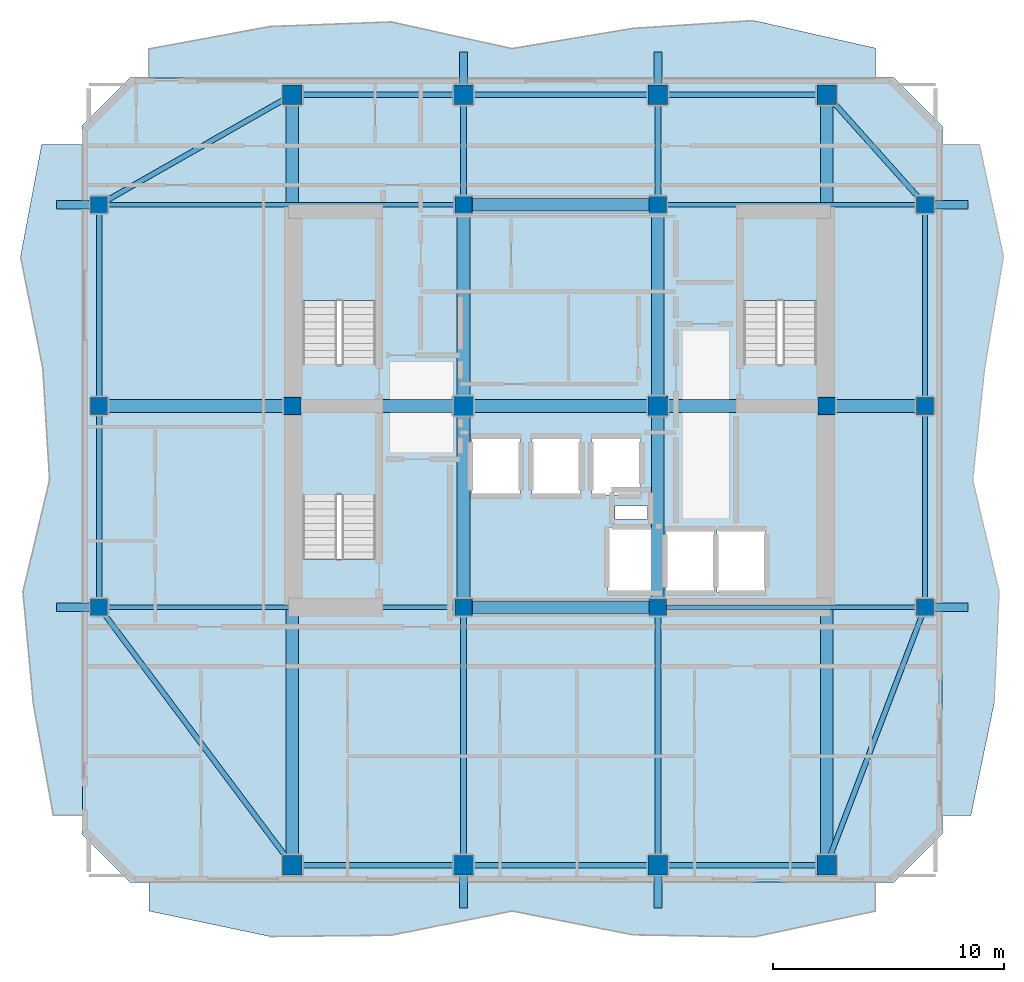
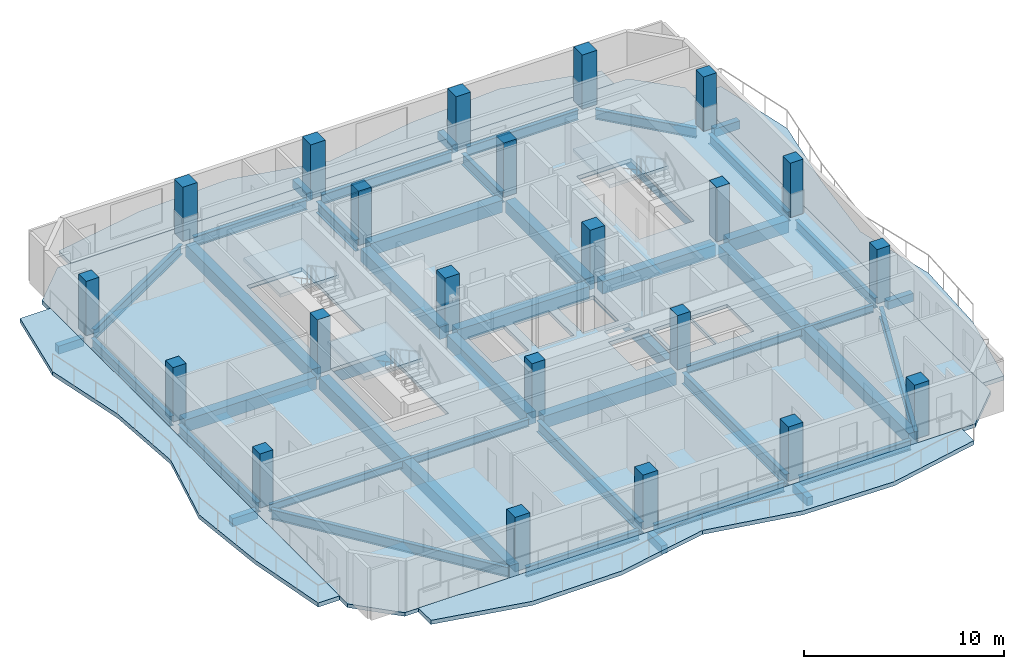
# One storey, part 1 of 10: 45 beams, 22 columns, 8 slabs, 3 elements without a shape of their own.
"""IFC4 building model written with IfcOpenShell, lengths in metres."""

from ifc_helpers import new_model, si_unit, direction, frame, origin, origin_2d, place, context, subcontext, project, spatial, polyline, rectangle, i_section, outline, extrude, material, layer, layer_set, material_profile, profile_set, type_object, element, aggregate, save


model = new_model("IFC4")

# Units and contexts
model_context = context("Model", 3, precision=1e-05, world=origin(), true_north=direction((0.0, 1.0)))
body_context = subcontext(model_context, "Body", "Model", "MODEL_VIEW")
ifc_project = project(units=[si_unit("LENGTHUNIT", "METRE"), si_unit("AREAUNIT", "SQUARE_METRE"), si_unit("VOLUMEUNIT", "CUBIC_METRE"), si_unit("PLANEANGLEUNIT", "RADIAN"), si_unit("MASSUNIT", "GRAM", prefix="KILO")], contexts=[model_context])

# Site, building, storey
site_placement = place(None, origin())
site = spatial("IfcSite", under=ifc_project, at=site_placement, CompositionType="ELEMENT")
building_placement = place(site_placement, origin())
building = spatial("IfcBuilding", under=site, at=building_placement, Name="Solanera Arch Residences", CompositionType="ELEMENT")
storey_placement = place(building_placement, frame((0.0, 0.0, 200.1201171875)))
storey = spatial("IfcBuildingStorey", under=building, at=storey_placement, Name="L58", CompositionType="ELEMENT", Elevation=200.1201171875)

# Columns
ifc_material_1 = material(Name="Concrete C40/50 (f'c = 45 MPa)", Category="concrete")
ifc_material_profile_1 = material_profile(ifc_material_1, rectangle(XDim=0.75, YDim=0.75, at=origin_2d()))
ifc_profile_set_1 = profile_set([ifc_material_profile_1], Name="Concrete C40/50 (f'c = 45 MPa)")
column_type_1 = type_object("IfcColumnType", Name="Structural Column RC-COL-750X750", PredefinedType="COLUMN", material=ifc_profile_set_1)
for number, where, z_axis, x_axis, name in (
    (1, (20.800048828125, 22.0, 0.0), (0.0, 0.0, 1.0), (1.0, 0.0, 0.0), "COL-L58-CB-SW"),
    (2, (29.199951171875, 22.0, 0.0), (0.0, 0.0, 1.0), (1.0, 0.0, 0.0), "COL-L58-CB-SE"),
    (3, (20.800048828125, 39.39990234375, 0.0), (0.0, 0.0, 1.0), (1.0, 0.0, 0.0), "COL-L58-CB-NW"),
    (4, (29.199951171875, 39.39990234375, 0.0), (0.0, 0.0, 1.0), (1.0, 0.0, 0.0), "COL-L58-CB-NE"),
    (5, (13.39990234375, 30.699951171875, 0.0), (0.0, 0.0, 1.0), (1.0, 0.0, 0.0), "COL-L58-CB-WW"),
    (6, (36.5, 30.699951171875, 0.0), (0.0, 0.0, 1.0), (1.0, 0.0, 0.0), "COL-L58-CB-EE"),
    (7, (5.050048828125, 22.0, 0.0), (0.0, 0.0, 1.0), (1.0, 0.0, 0.0), "COL-L58-TWR-09"),
    (8, (40.75, 22.0, 0.0), (0.0, 0.0, 1.0), (1.0, 0.0, 0.0), "COL-L58-TWR-10"),
    (9, (5.050048828125, 30.699951171875, 0.0), (0.0, 0.0, 1.0), (1.0, 0.0, 0.0), "COL-L58-TWR-11"),
    (10, (40.75, 30.699951171875, 0.0), (0.0, 0.0, 1.0), (1.0, 0.0, 0.0), "COL-L58-TWR-12"),
    (11, (5.050048828125, 39.39990234375, 0.0), (0.0, 0.0, 1.0), (1.0, 0.0, 0.0), "COL-L58-TWR-13"),
    (12, (40.75, 39.39990234375, 0.0), (0.0, 0.0, 1.0), (1.0, 0.0, 0.0), "COL-L58-TWR-14"),
):
    element("IfcColumn", number, at=place(storey_placement, frame(where, z_axis=z_axis, x_axis=x_axis)), inside=storey, type_object=column_type_1, Name=name, PredefinedType="COLUMN", context=body_context, shape_type="SweptSolid", body=[
        extrude(rectangle(XDim=0.75, YDim=0.75, at=origin_2d()), origin(), (0.0, 0.0, 1.0), 3.31982421875),
    ])
ifc_material_2 = material(Name="Concrete C40/50 (f'c = 45 MPa)", Category="concrete")
ifc_material_profile_2 = material_profile(ifc_material_2, rectangle(XDim=0.85009765625, YDim=0.85009765625, at=origin_2d()))
ifc_profile_set_2 = profile_set([ifc_material_profile_2], Name="Concrete C40/50 (f'c = 45 MPa)")
column_type_2 = type_object("IfcColumnType", Name="Structural Column RC-COL-850X850", PredefinedType="COLUMN", material=ifc_profile_set_2)
for number, where, z_axis, x_axis, name in (
    (13, (20.800048828125, 30.699951171875, 0.0), (0.0, 0.0, 1.0), (1.0, 0.0, 0.0), "COL-L58-CORE-W"),
    (14, (29.199951171875, 30.699951171875, 0.0), (0.0, 0.0, 1.0), (1.0, 0.0, 0.0), "COL-L58-CORE-E"),
    (15, (13.39990234375, 10.85009765625, 0.0), (0.0, 0.0, 1.0), (1.0, 0.0, 0.0), "COL-L58-TWR-01"),
    (16, (13.39990234375, 44.14990234375, 0.0), (0.0, 0.0, 1.0), (1.0, 0.0, 0.0), "COL-L58-TWR-02"),
    (17, (20.800048828125, 10.85009765625, 0.0), (0.0, 0.0, 1.0), (1.0, 0.0, 0.0), "COL-L58-TWR-03"),
    (18, (20.800048828125, 44.14990234375, 0.0), (0.0, 0.0, 1.0), (1.0, 0.0, 0.0), "COL-L58-TWR-04"),
    (19, (29.199951171875, 10.85009765625, 0.0), (0.0, 0.0, 1.0), (1.0, 0.0, 0.0), "COL-L58-TWR-05"),
    (20, (29.199951171875, 44.14990234375, 0.0), (0.0, 0.0, 1.0), (1.0, 0.0, 0.0), "COL-L58-TWR-06"),
    (21, (36.5, 10.85009765625, 0.0), (0.0, 0.0, 1.0), (1.0, 0.0, 0.0), "COL-L58-TWR-07"),
    (22, (36.5, 44.14990234375, 0.0), (0.0, 0.0, 1.0), (1.0, 0.0, 0.0), "COL-L58-TWR-08"),
):
    element("IfcColumn", number, at=place(storey_placement, frame(where, z_axis=z_axis, x_axis=x_axis)), inside=storey, type_object=column_type_2, Name=name, PredefinedType="COLUMN", context=body_context, shape_type="SweptSolid", body=[
        extrude(rectangle(XDim=0.85009765625, YDim=0.85009765625, at=origin_2d()), origin(), (0.0, 0.0, 1.0), 3.31982421875),
    ])

# Beams
ifc_material_3 = material(Name="Concrete C40/50 (f'c = 45 MPa)", Category="concrete")
ifc_material_profile_3 = material_profile(ifc_material_3, rectangle(XDim=0.35009765625, YDim=0.5, at=origin_2d()))
ifc_profile_set_3 = profile_set([ifc_material_profile_3], Name="Concrete C40/50 (f'c = 45 MPa)")
beam_type_1 = type_object("IfcBeamType", Name="BM-BALC-RIB", PredefinedType="BEAM", material=ifc_profile_set_3)
for number, where, z_axis, x_axis, name in (
    (23, (20.800048828125, 9.0, -0.5), (0.0, 1.0, 0.0), (-1.0, 0.0, 0.0), "BM-L58-BRIB-S1"),
    (24, (29.199951171875, 9.0, -0.5), (0.0, 1.0, 0.0), (-1.0, 0.0, 0.0), "BM-L58-BRIB-S2"),
    (25, (20.800048828125, 44.574951171875, -0.5), (0.0, 1.0, 0.0), (-1.0, 0.0, 0.0), "BM-L58-BRIB-N1"),
    (26, (29.199951171875, 44.574951171875, -0.5), (0.0, 1.0, 0.0), (-1.0, 0.0, 0.0), "BM-L58-BRIB-N2"),
):
    element("IfcBeam", number, at=place(storey_placement, frame(where, z_axis=z_axis, x_axis=x_axis)), inside=storey, type_object=beam_type_1, Name=name, PredefinedType="BEAM", context=body_context, shape_type="SweptSolid", body=[
        extrude(rectangle(XDim=0.35009765625, YDim=0.5, at=origin_2d()), origin(), (0.0, 0.0, 1.0), 1.425048828125),
    ])
for number, where, z_axis, x_axis, name in (
    (27, (41.125, 22.0, -0.5), (1.0, 0.0, 0.0), (0.0, 1.0, 0.0), "BM-L58-BRIB-E1"),
    (28, (41.125, 39.39990234375, -0.5), (1.0, 0.0, 0.0), (0.0, 1.0, 0.0), "BM-L58-BRIB-E2"),
    (29, (3.199951171875, 22.0, -0.5), (1.0, 0.0, 0.0), (0.0, 1.0, 0.0), "BM-L58-BRIB-W1"),
    (30, (3.199951171875, 39.39990234375, -0.5), (1.0, 0.0, 0.0), (0.0, 1.0, 0.0), "BM-L58-BRIB-W2"),
):
    element("IfcBeam", number, at=place(storey_placement, frame(where, z_axis=z_axis, x_axis=x_axis)), inside=storey, type_object=beam_type_1, Name=name, PredefinedType="BEAM", context=body_context, shape_type="SweptSolid", body=[
        extrude(rectangle(XDim=0.35009765625, YDim=0.5, at=origin_2d()), origin(), (0.0, 0.0, 1.0), 1.47509765625),
    ])
ifc_material_4 = material(Name="Concrete C40/50 (f'c = 45 MPa)", Category="concrete")
ifc_material_profile_4 = material_profile(ifc_material_4, rectangle(XDim=0.550048828125, YDim=0.75, at=origin_2d()))
ifc_profile_set_4 = profile_set([ifc_material_profile_4], Name="Concrete C40/50 (f'c = 45 MPa)")
beam_type_2 = type_object("IfcBeamType", Name="Primary Beam RC-BM-550X750", PredefinedType="BEAM", material=ifc_profile_set_4)
beam_1_placement = place(storey_placement, frame((20.800048828125, 22.37890625, -0.59521484375), z_axis=(0.0, 1.0, 0.0), x_axis=(-1.0, 0.0, 0.0)))
element("IfcBeam", 31, at=beam_1_placement, inside=storey, type_object=beam_type_2, Name="BM-L58-CC-S-208", PredefinedType="BEAM", context=body_context, shape_type="SweptSolid", body=[
    extrude(rectangle(XDim=0.550048828125, YDim=0.75, at=origin_2d()), origin(), (0.0, 0.0, 1.0), 7.942138671875),
])
beam_2_placement = place(storey_placement, frame((20.800048828125, 31.0791015625, -0.59521484375), z_axis=(0.0, 1.0, 0.0), x_axis=(-1.0, 0.0, 0.0)))
element("IfcBeam", 32, at=beam_2_placement, inside=storey, type_object=beam_type_2, Name="BM-L58-CC-N-208", PredefinedType="BEAM", context=body_context, shape_type="SweptSolid", body=[
    extrude(rectangle(XDim=0.550048828125, YDim=0.75, at=origin_2d()), origin(), (0.0, 0.0, 1.0), 7.94189453125),
])
beam_3_placement = place(storey_placement, frame((29.199951171875, 22.37890625, -0.59521484375), z_axis=(0.0, 1.0, 0.0), x_axis=(-1.0, 0.0, 0.0)))
element("IfcBeam", 33, at=beam_3_placement, inside=storey, type_object=beam_type_2, Name="BM-L58-CC-S-292", PredefinedType="BEAM", context=body_context, shape_type="SweptSolid", body=[
    extrude(rectangle(XDim=0.550048828125, YDim=0.75, at=origin_2d()), origin(), (0.0, 0.0, 1.0), 7.942138671875),
])
beam_4_placement = place(storey_placement, frame((29.199951171875, 31.0791015625, -0.59521484375), z_axis=(0.0, 1.0, 0.0), x_axis=(-1.0, 0.0, 0.0)))
element("IfcBeam", 34, at=beam_4_placement, inside=storey, type_object=beam_type_2, Name="BM-L58-CC-N-292", PredefinedType="BEAM", context=body_context, shape_type="SweptSolid", body=[
    extrude(rectangle(XDim=0.550048828125, YDim=0.75, at=origin_2d()), origin(), (0.0, 0.0, 1.0), 7.94189453125),
])
for number, where, z_axis, x_axis, name in (
    (35, (21.178955078125, 22.0, -0.59521484375), (1.0, 0.0, 0.0), (0.0, 1.0, 0.0), "BM-L58-CC-M-220"),
    (36, (21.178955078125, 30.699951171875, -0.59521484375), (1.0, 0.0, 0.0), (0.0, 1.0, 0.0), "BM-L58-CC-M-307"),
    (37, (21.178955078125, 39.39990234375, -0.59521484375), (1.0, 0.0, 0.0), (0.0, 1.0, 0.0), "BM-L58-CC-M-394"),
):
    element("IfcBeam", number, at=place(storey_placement, frame(where, z_axis=z_axis, x_axis=x_axis)), inside=storey, type_object=beam_type_2, Name=name, PredefinedType="BEAM", context=body_context, shape_type="SweptSolid", body=[
        extrude(rectangle(XDim=0.550048828125, YDim=0.75, at=origin_2d()), origin(), (0.0, 0.0, 1.0), 7.64208984375),
    ])
beam_5_placement = place(storey_placement, frame((13.779052734375, 30.699951171875, -0.59521484375), z_axis=(1.0, 0.0, 0.0), x_axis=(0.0, 1.0, 0.0)))
element("IfcBeam", 38, at=beam_5_placement, inside=storey, type_object=beam_type_2, Name="BM-L58-CC-W", PredefinedType="BEAM", context=body_context, shape_type="SweptSolid", body=[
    extrude(rectangle(XDim=0.550048828125, YDim=0.75, at=origin_2d()), origin(), (0.0, 0.0, 1.0), 6.641845703125),
])
beam_6_placement = place(storey_placement, frame((29.5791015625, 30.699951171875, -0.59521484375), z_axis=(1.0, 0.0, 0.0), x_axis=(0.0, 1.0, 0.0)))
element("IfcBeam", 39, at=beam_6_placement, inside=storey, type_object=beam_type_2, Name="BM-L58-CC-E", PredefinedType="BEAM", context=body_context, shape_type="SweptSolid", body=[
    extrude(rectangle(XDim=0.550048828125, YDim=0.75, at=origin_2d()), origin(), (0.0, 0.0, 1.0), 6.5419921875),
])
beam_7_placement = place(storey_placement, frame((13.39990234375, 11.279052734375, -0.59521484375), z_axis=(0.0, 1.0, 0.0), x_axis=(-1.0, 0.0, 0.0)))
element("IfcBeam", 40, at=beam_7_placement, inside=storey, type_object=beam_type_2, Name="BM-L58-RAD-OS-134", PredefinedType="BEAM", context=body_context, shape_type="SweptSolid", body=[
    extrude(rectangle(XDim=0.550048828125, YDim=0.75, at=origin_2d()), origin(), (0.0, 0.0, 1.0), 19.0419921875),
])
beam_8_placement = place(storey_placement, frame((13.39990234375, 31.0791015625, -0.59521484375), z_axis=(0.0, 1.0, 0.0), x_axis=(-1.0, 0.0, 0.0)))
element("IfcBeam", 41, at=beam_8_placement, inside=storey, type_object=beam_type_2, Name="BM-L58-RAD-ON-134", PredefinedType="BEAM", context=body_context, shape_type="SweptSolid", body=[
    extrude(rectangle(XDim=0.550048828125, YDim=0.75, at=origin_2d()), origin(), (0.0, 0.0, 1.0), 12.641845703125),
])
beam_9_placement = place(storey_placement, frame((36.5, 11.279052734375, -0.59521484375), z_axis=(0.0, 1.0, 0.0), x_axis=(-1.0, 0.0, 0.0)))
element("IfcBeam", 42, at=beam_9_placement, inside=storey, type_object=beam_type_2, Name="BM-L58-RAD-OS-365", PredefinedType="BEAM", context=body_context, shape_type="SweptSolid", body=[
    extrude(rectangle(XDim=0.550048828125, YDim=0.75, at=origin_2d()), origin(), (0.0, 0.0, 1.0), 19.0419921875),
])
beam_10_placement = place(storey_placement, frame((36.5, 31.0791015625, -0.59521484375), z_axis=(0.0, 1.0, 0.0), x_axis=(-1.0, 0.0, 0.0)))
element("IfcBeam", 43, at=beam_10_placement, inside=storey, type_object=beam_type_2, Name="BM-L58-RAD-ON-365", PredefinedType="BEAM", context=body_context, shape_type="SweptSolid", body=[
    extrude(rectangle(XDim=0.550048828125, YDim=0.75, at=origin_2d()), origin(), (0.0, 0.0, 1.0), 12.641845703125),
])
beam_11_placement = place(storey_placement, frame((5.428955078125, 30.699951171875, -0.59521484375), z_axis=(1.0, 0.0, 0.0), x_axis=(0.0, 1.0, 0.0)))
element("IfcBeam", 44, at=beam_11_placement, inside=storey, type_object=beam_type_2, Name="BM-L58-RAD-MW", PredefinedType="BEAM", context=body_context, shape_type="SweptSolid", body=[
    extrude(rectangle(XDim=0.550048828125, YDim=0.75, at=origin_2d()), origin(), (0.0, 0.0, 1.0), 7.592041015625),
])
beam_12_placement = place(storey_placement, frame((36.87890625, 30.699951171875, -0.59521484375), z_axis=(1.0, 0.0, 0.0), x_axis=(0.0, 1.0, 0.0)))
element("IfcBeam", 45, at=beam_12_placement, inside=storey, type_object=beam_type_2, Name="BM-L58-RAD-ME", PredefinedType="BEAM", context=body_context, shape_type="SweptSolid", body=[
    extrude(rectangle(XDim=0.550048828125, YDim=0.75, at=origin_2d()), origin(), (0.0, 0.0, 1.0), 3.4921875),
])
ifc_material_5 = material(Name="Steel S355 (ASTM A992 / A572 Grade 50)", Category="steel")
ifc_material_profile_5 = material_profile(ifc_material_5, i_section(OverallWidth=0.256103515625, OverallDepth=0.693115234375, WebThickness=0.014404296875, FlangeThickness=0.023681640625, at=origin_2d()))
ifc_profile_set_5 = profile_set([ifc_material_profile_5], Name="Steel S355 (ASTM A992 / A572 Grade 50)")
beam_type_3 = type_object("IfcBeamType", Name="Primary Beam W690X170", PredefinedType="BEAM", material=ifc_profile_set_5)
beam_13_placement = place(storey_placement, frame((20.800048828125, 11.279052734375, -0.566162109375), z_axis=(0.0, 1.0, 0.0), x_axis=(-1.0, 0.0, 0.0)))
element("IfcBeam", 46, at=beam_13_placement, inside=storey, type_object=beam_type_3, Name="BM-L58-RAD-S-208", PredefinedType="BEAM", context=body_context, shape_type="SweptSolid", body=[
    extrude(i_section(OverallWidth=0.256103515625, OverallDepth=0.693115234375, WebThickness=0.014404296875, FlangeThickness=0.023681640625, at=origin_2d()), origin(), (0.0, 0.0, 1.0), 10.342041015625),
])
beam_14_placement = place(storey_placement, frame((20.800048828125, 39.779052734375, -0.566162109375), z_axis=(0.0, 1.0, 0.0), x_axis=(-1.0, 0.0, 0.0)))
element("IfcBeam", 47, at=beam_14_placement, inside=storey, type_object=beam_type_3, Name="BM-L58-RAD-N-208", PredefinedType="BEAM", context=body_context, shape_type="SweptSolid", body=[
    extrude(i_section(OverallWidth=0.256103515625, OverallDepth=0.693115234375, WebThickness=0.014404296875, FlangeThickness=0.023681640625, at=origin_2d()), origin(), (0.0, 0.0, 1.0), 3.94189453125),
])
beam_15_placement = place(storey_placement, frame((29.199951171875, 11.279052734375, -0.566162109375), z_axis=(0.0, 1.0, 0.0), x_axis=(-1.0, 0.0, 0.0)))
element("IfcBeam", 48, at=beam_15_placement, inside=storey, type_object=beam_type_3, Name="BM-L58-RAD-S-292", PredefinedType="BEAM", context=body_context, shape_type="SweptSolid", body=[
    extrude(i_section(OverallWidth=0.256103515625, OverallDepth=0.693115234375, WebThickness=0.014404296875, FlangeThickness=0.023681640625, at=origin_2d()), origin(), (0.0, 0.0, 1.0), 10.342041015625),
])
beam_16_placement = place(storey_placement, frame((29.199951171875, 39.779052734375, -0.566162109375), z_axis=(0.0, 1.0, 0.0), x_axis=(-1.0, 0.0, 0.0)))
element("IfcBeam", 49, at=beam_16_placement, inside=storey, type_object=beam_type_3, Name="BM-L58-RAD-N-292", PredefinedType="BEAM", context=body_context, shape_type="SweptSolid", body=[
    extrude(i_section(OverallWidth=0.256103515625, OverallDepth=0.693115234375, WebThickness=0.014404296875, FlangeThickness=0.023681640625, at=origin_2d()), origin(), (0.0, 0.0, 1.0), 3.94189453125),
])
ifc_material_6 = material(Name="Steel S355 (ASTM A992 / A572 Grade 50)", Category="steel")
ifc_material_profile_6 = material_profile(ifc_material_6, i_section(OverallWidth=0.19091796875, OverallDepth=0.4599609375, WebThickness=0.010009765625, FlangeThickness=0.01611328125, at=origin_2d()))
ifc_profile_set_6 = profile_set([ifc_material_profile_6], Name="Steel S355 (ASTM A992 / A572 Grade 50)")
beam_type_4 = type_object("IfcBeamType", Name="Secondary Joist W460X82", PredefinedType="JOIST", material=ifc_profile_set_6)
beam_17_placement = place(storey_placement, frame((5.428955078125, 22.0, -0.4501953125), z_axis=(1.0, 0.0, 0.0), x_axis=(0.0, 1.0, 0.0)))
element("IfcBeam", 50, at=beam_17_placement, inside=storey, type_object=beam_type_4, Name="BM-L58-RAD-W-220", PredefinedType="JOIST", context=body_context, shape_type="SweptSolid", body=[
    extrude(i_section(OverallWidth=0.19091796875, OverallDepth=0.4599609375, WebThickness=0.010009765625, FlangeThickness=0.01611328125, at=origin_2d()), origin(), (0.0, 0.0, 1.0), 14.991943359375),
])
beam_18_placement = place(storey_placement, frame((29.5791015625, 22.0, -0.4501953125), z_axis=(1.0, 0.0, 0.0), x_axis=(0.0, 1.0, 0.0)))
element("IfcBeam", 51, at=beam_18_placement, inside=storey, type_object=beam_type_4, Name="BM-L58-RAD-E-220", PredefinedType="JOIST", context=body_context, shape_type="SweptSolid", body=[
    extrude(i_section(OverallWidth=0.19091796875, OverallDepth=0.4599609375, WebThickness=0.010009765625, FlangeThickness=0.01611328125, at=origin_2d()), origin(), (0.0, 0.0, 1.0), 10.7919921875),
])
beam_19_placement = place(storey_placement, frame((5.428955078125, 39.39990234375, -0.4501953125), z_axis=(1.0, 0.0, 0.0), x_axis=(0.0, 1.0, 0.0)))
element("IfcBeam", 52, at=beam_19_placement, inside=storey, type_object=beam_type_4, Name="BM-L58-RAD-W-394", PredefinedType="JOIST", context=body_context, shape_type="SweptSolid", body=[
    extrude(i_section(OverallWidth=0.19091796875, OverallDepth=0.4599609375, WebThickness=0.010009765625, FlangeThickness=0.01611328125, at=origin_2d()), origin(), (0.0, 0.0, 1.0), 14.991943359375),
])
beam_20_placement = place(storey_placement, frame((29.5791015625, 39.39990234375, -0.4501953125), z_axis=(1.0, 0.0, 0.0), x_axis=(0.0, 1.0, 0.0)))
element("IfcBeam", 53, at=beam_20_placement, inside=storey, type_object=beam_type_4, Name="BM-L58-RAD-E-394", PredefinedType="JOIST", context=body_context, shape_type="SweptSolid", body=[
    extrude(i_section(OverallWidth=0.19091796875, OverallDepth=0.4599609375, WebThickness=0.010009765625, FlangeThickness=0.01611328125, at=origin_2d()), origin(), (0.0, 0.0, 1.0), 10.7919921875),
])
ifc_material_7 = material(Name="Steel S355 (ASTM A992 / A572 Grade 50)", Category="steel")
ifc_material_profile_7 = material_profile(ifc_material_7, i_section(OverallWidth=0.22802734375, OverallDepth=0.60791015625, WebThickness=0.01123046875, FlangeThickness=0.017333984375, at=origin_2d()))
ifc_profile_set_7 = profile_set([ifc_material_profile_7], Name="Steel S355 (ASTM A992 / A572 Grade 50)")
beam_type_5 = type_object("IfcBeamType", Name="Spandrel Beam W610X113", PredefinedType="SPANDREL", material=ifc_profile_set_7)
for number, where, z_axis, x_axis, name in (
    (54, (13.8291015625, 10.85009765625, -0.524169921875), (1.0, 0.0, 0.0), (0.0, 1.0, 0.0), "BM-L58-SPN-S-1"),
    (55, (13.8291015625, 44.14990234375, -0.524169921875), (1.0, 0.0, 0.0), (0.0, 1.0, 0.0), "BM-L58-SPN-N-1"),
):
    element("IfcBeam", number, at=place(storey_placement, frame(where, z_axis=z_axis, x_axis=x_axis)), inside=storey, type_object=beam_type_5, Name=name, PredefinedType="SPANDREL", context=body_context, shape_type="SweptSolid", body=[
        extrude(i_section(OverallWidth=0.22802734375, OverallDepth=0.60791015625, WebThickness=0.01123046875, FlangeThickness=0.017333984375, at=origin_2d()), origin(), (0.0, 0.0, 1.0), 6.5419921875),
    ])
for number, where, z_axis, x_axis, name in (
    (56, (21.22900390625, 10.85009765625, -0.524169921875), (1.0, 0.0, 0.0), (0.0, 1.0, 0.0), "BM-L58-SPN-S-2"),
    (57, (21.22900390625, 44.14990234375, -0.524169921875), (1.0, 0.0, 0.0), (0.0, 1.0, 0.0), "BM-L58-SPN-N-2"),
):
    element("IfcBeam", number, at=place(storey_placement, frame(where, z_axis=z_axis, x_axis=x_axis)), inside=storey, type_object=beam_type_5, Name=name, PredefinedType="SPANDREL", context=body_context, shape_type="SweptSolid", body=[
        extrude(i_section(OverallWidth=0.22802734375, OverallDepth=0.60791015625, WebThickness=0.01123046875, FlangeThickness=0.017333984375, at=origin_2d()), origin(), (0.0, 0.0, 1.0), 7.5419921875),
    ])
for number, where, z_axis, x_axis, name in (
    (58, (29.62890625, 10.85009765625, -0.524169921875), (1.0, 0.0, 0.0), (0.0, 1.0, 0.0), "BM-L58-SPN-S-3"),
    (59, (29.62890625, 44.14990234375, -0.524169921875), (1.0, 0.0, 0.0), (0.0, 1.0, 0.0), "BM-L58-SPN-N-3"),
):
    element("IfcBeam", number, at=place(storey_placement, frame(where, z_axis=z_axis, x_axis=x_axis)), inside=storey, type_object=beam_type_5, Name=name, PredefinedType="SPANDREL", context=body_context, shape_type="SweptSolid", body=[
        extrude(i_section(OverallWidth=0.22802734375, OverallDepth=0.60791015625, WebThickness=0.01123046875, FlangeThickness=0.017333984375, at=origin_2d()), origin(), (0.0, 0.0, 1.0), 6.442138671875),
    ])
for number, where, z_axis, x_axis, name in (
    (60, (5.050048828125, 22.37890625, -0.524169921875), (0.0, 1.0, 0.0), (-1.0, 0.0, 0.0), "BM-L58-SPN-W-1"),
    (61, (40.75, 22.37890625, -0.524169921875), (0.0, 1.0, 0.0), (-1.0, 0.0, 0.0), "BM-L58-SPN-E-1"),
):
    element("IfcBeam", number, at=place(storey_placement, frame(where, z_axis=z_axis, x_axis=x_axis)), inside=storey, type_object=beam_type_5, Name=name, PredefinedType="SPANDREL", context=body_context, shape_type="SweptSolid", body=[
        extrude(i_section(OverallWidth=0.22802734375, OverallDepth=0.60791015625, WebThickness=0.01123046875, FlangeThickness=0.017333984375, at=origin_2d()), origin(), (0.0, 0.0, 1.0), 7.942138671875),
    ])
for number, where, z_axis, x_axis, name in (
    (62, (5.050048828125, 31.0791015625, -0.524169921875), (0.0, 1.0, 0.0), (-1.0, 0.0, 0.0), "BM-L58-SPN-W-2"),
    (63, (40.75, 31.0791015625, -0.524169921875), (0.0, 1.0, 0.0), (-1.0, 0.0, 0.0), "BM-L58-SPN-E-2"),
):
    element("IfcBeam", number, at=place(storey_placement, frame(where, z_axis=z_axis, x_axis=x_axis)), inside=storey, type_object=beam_type_5, Name=name, PredefinedType="SPANDREL", context=body_context, shape_type="SweptSolid", body=[
        extrude(i_section(OverallWidth=0.22802734375, OverallDepth=0.60791015625, WebThickness=0.01123046875, FlangeThickness=0.017333984375, at=origin_2d()), origin(), (0.0, 0.0, 1.0), 7.94189453125),
    ])
beam_21_placement = place(storey_placement, frame((13.0791015625, 11.278076171875, -0.524169921875), z_axis=(-0.599410401798, 0.80044185936, 0.0), x_axis=(-0.80044185936, -0.599410401798, 0.0)))
element("IfcBeam", 64, at=beam_21_placement, inside=storey, type_object=beam_type_5, Name="BM-L58-SPN-SW", PredefinedType="SPANDREL", context=body_context, shape_type="SweptSolid", body=[
    extrude(i_section(OverallWidth=0.22802734375, OverallDepth=0.60791015625, WebThickness=0.01123046875, FlangeThickness=0.017333984375, at=origin_2d()), origin(), (0.0, 0.0, 1.0), 12.9228515625),
])
beam_22_placement = place(storey_placement, frame((12.971923828125, 43.906005859375, -0.524169921875), z_axis=(-0.869224697454, -0.494417258332, 0.0), x_axis=(0.494417258332, -0.869224697454, 0.0)))
element("IfcBeam", 65, at=beam_22_placement, inside=storey, type_object=beam_type_5, Name="BM-L58-SPN-NW", PredefinedType="SPANDREL", context=body_context, shape_type="SweptSolid", body=[
    extrude(i_section(OverallWidth=0.22802734375, OverallDepth=0.60791015625, WebThickness=0.01123046875, FlangeThickness=0.017333984375, at=origin_2d()), origin(), (0.0, 0.0, 1.0), 8.678955078125),
])
beam_23_placement = place(storey_placement, frame((36.6630859375, 11.279052734375, -0.524169921875), z_axis=(0.356235638105, 0.93439615268, 0.0), x_axis=(-0.93439615268, 0.356235638105, 0.0)))
element("IfcBeam", 66, at=beam_23_placement, inside=storey, type_object=beam_type_5, Name="BM-L58-SPN-SE", PredefinedType="SPANDREL", context=body_context, shape_type="SweptSolid", body=[
    extrude(i_section(OverallWidth=0.22802734375, OverallDepth=0.60791015625, WebThickness=0.01123046875, FlangeThickness=0.017333984375, at=origin_2d()), origin(), (0.0, 0.0, 1.0), 11.068115234375),
])
beam_24_placement = place(storey_placement, frame((36.860107421875, 43.748046875, -0.524169921875), z_axis=(0.66678682148, -0.745248505333, 0.0), x_axis=(0.745248505333, 0.66678682148, 0.0)))
element("IfcBeam", 67, at=beam_24_placement, inside=storey, type_object=beam_type_5, Name="BM-L58-SPN-NE", PredefinedType="SPANDREL", context=body_context, shape_type="SweptSolid", body=[
    extrude(i_section(OverallWidth=0.22802734375, OverallDepth=0.60791015625, WebThickness=0.01123046875, FlangeThickness=0.017333984375, at=origin_2d()), origin(), (0.0, 0.0, 1.0), 5.3271484375),
])

# Slabs
ifc_material_8 = material(Name="Concrete C40/50 (f'c = 45 MPa)", Category="concrete")
ifc_layer_1 = layer(ifc_material_8, 0.25)
ifc_layer_set_1 = layer_set([ifc_layer_1], Name="Concrete C40/50 (f'c = 45 MPa)")
slab_type_1 = type_object("IfcSlabType", Name="Balcony Slab 250", PredefinedType="FLOOR", material=ifc_layer_set_1)
slab_1_placement = place(storey_placement, frame((0.0, 0.0, -0.25)))
element("IfcSlab", 68, at=slab_1_placement, inside=storey, type_object=slab_type_1, Name="L58 S Rippling Brise-Soleil Balcony Slab", PredefinedType="FLOOR", context=body_context, shape_type="SweptSolid", body=[
    extrude(outline(polyline([(7.199951171875, 8.865966796875), (12.43310546875, 7.76611328125), (17.6669921875, 7.821044921875), (22.89990234375, 8.8701171875), (28.133056640625, 7.837890625), (33.366943359375, 7.75), (38.60009765625, 8.864013671875), (38.60009765625, 10.1201171875), (7.199951171875, 10.1201171875), (7.199951171875, 8.865966796875)])), origin(), (0.0, 0.0, 1.0), 0.25),
])
slab_2_placement = place(storey_placement, frame((0.0, 0.0, -0.25)))
element("IfcSlab", 69, at=slab_2_placement, inside=storey, type_object=slab_type_1, Name="L58 N Rippling Brise-Soleil Balcony Slab", PredefinedType="FLOOR", context=body_context, shape_type="SweptSolid", body=[
    extrude(outline(polyline([(38.60009765625, 46.1708984375), (33.366943359375, 47.361083984375), (28.133056640625, 47.02392578125), (22.89990234375, 46.14794921875), (17.6669921875, 47.301025390625), (12.43310546875, 47.10302734375), (7.199951171875, 46.134033203125), (7.199951171875, 44.8798828125), (38.60009765625, 44.8798828125), (38.60009765625, 46.1708984375)])), origin(), (0.0, 0.0, 1.0), 0.25),
])
slab_3_placement = place(storey_placement, frame((0.0, 0.0, -0.25)))
element("IfcSlab", 70, at=slab_3_placement, inside=storey, type_object=slab_type_1, Name="L58 E Rippling Brise-Soleil Balcony Slab", PredefinedType="FLOOR", context=body_context, shape_type="SweptSolid", body=[
    extrude(outline(polyline([(42.73388671875, 13.0), (43.737060546875, 17.8330078125), (43.955078125, 22.6669921875), (42.81201171875, 27.5), (43.3291015625, 32.3330078125), (44.139892578125, 37.1669921875), (43.10107421875, 42.0), (41.47998046875, 42.0), (41.47998046875, 13.0), (42.73388671875, 13.0)])), origin(), (0.0, 0.0, 1.0), 0.25),
])
slab_4_placement = place(storey_placement, frame((0.0, 0.0, -0.25)))
element("IfcSlab", 71, at=slab_4_placement, inside=storey, type_object=slab_type_1, Name="L58 W Rippling Brise-Soleil Balcony Slab", PredefinedType="FLOOR", context=body_context, shape_type="SweptSolid", body=[
    extrude(outline(polyline([(2.56201171875, 42.0), (1.65087890625, 37.1669921875), (2.614013671875, 32.3330078125), (2.906005859375, 27.5), (1.7548828125, 22.6669921875), (2.202880859375, 17.8330078125), (3.06591796875, 13.0), (4.320068359375, 13.0), (4.320068359375, 42.0), (2.56201171875, 42.0)])), origin(), (0.0, 0.0, 1.0), 0.25),
])

# Stair, slab
ifc_material_9 = material(Name="Concrete C40/50 (f'c = 45 MPa)", Category="concrete")
stair_type = type_object("IfcStairType", Name="Tower Dogleg Exit Stair 1480", PredefinedType="HALF_TURN_STAIR", material=ifc_material_9)
stair_1_placement = place(storey_placement, origin())
stair_1 = element("IfcStair", 72, at=stair_1_placement, inside=storey, type_object=stair_type, Name="L58 Tower Core Exit Stair 1", PredefinedType="HALF_TURN_STAIR")
ifc_material_10 = material(Name="Concrete C40/50 (f'c = 45 MPa)", Category="concrete")
ifc_layer_2 = layer(ifc_material_10, 0.199951171875)
ifc_layer_set_2 = layer_set([ifc_layer_2], Name="Concrete C40/50 (f'c = 45 MPa)")
slab_type_2 = type_object("IfcSlabType", Name="Stair Half-Landing Slab 200", PredefinedType="LANDING", material=ifc_layer_set_2)
slab_5_placement = place(storey_placement, frame((0.0, 0.0, 1.4599609375)))
slab_5 = element("IfcSlab", 73, at=slab_5_placement, type_object=slab_type_2, Name="ST-T1 landing 1", PredefinedType="LANDING", context=body_context, shape_type="SweptSolid", body=[
    extrude(outline(polyline([(17.1201171875, 35.260009765625), (17.1201171875, 38.919921875), (13.719970703125, 38.919921875), (13.719970703125, 35.260009765625), (17.1201171875, 35.260009765625)])), origin(), (0.0, 0.0, 1.0), 0.199951171875),
])
aggregate(stair_1, [slab_5])

stair_2_placement = place(storey_placement, origin())
stair_2 = element("IfcStair", 74, at=stair_2_placement, inside=storey, type_object=stair_type, Name="L58 Tower Core Exit Stair 2", PredefinedType="HALF_TURN_STAIR")
slab_6_placement = place(storey_placement, frame((0.0, 0.0, 1.4599609375)))
slab_6 = element("IfcSlab", 75, at=slab_6_placement, type_object=slab_type_2, Name="ST-T2 landing 1", PredefinedType="LANDING", context=body_context, shape_type="SweptSolid", body=[
    extrude(outline(polyline([(36.179931640625, 35.260009765625), (36.179931640625, 38.919921875), (32.780029296875, 38.919921875), (32.780029296875, 35.260009765625), (36.179931640625, 35.260009765625)])), origin(), (0.0, 0.0, 1.0), 0.199951171875),
])
aggregate(stair_2, [slab_6])

stair_3_placement = place(storey_placement, origin())
stair_3 = element("IfcStair", 76, at=stair_3_placement, inside=storey, type_object=stair_type, Name="L58 Tower Core Exit Stair 3", PredefinedType="HALF_TURN_STAIR")
slab_7_placement = place(storey_placement, frame((0.0, 0.0, 1.4599609375)))
slab_7 = element("IfcSlab", 77, at=slab_7_placement, type_object=slab_type_2, Name="ST-T3 landing 1", PredefinedType="LANDING", context=body_context, shape_type="SweptSolid", body=[
    extrude(outline(polyline([(17.1201171875, 26.860107421875), (17.1201171875, 30.52001953125), (13.719970703125, 30.52001953125), (13.719970703125, 26.860107421875), (17.1201171875, 26.860107421875)])), origin(), (0.0, 0.0, 1.0), 0.199951171875),
])
aggregate(stair_3, [slab_7])

# Slab
ifc_material_11 = material(Name="Concrete C40/50 (f'c = 45 MPa)", Category="concrete")
ifc_layer_3 = layer(ifc_material_11, 0.219970703125)
ifc_layer_set_3 = layer_set([ifc_layer_3], Name="Concrete C40/50 (f'c = 45 MPa)")
slab_type_3 = type_object("IfcSlabType", Name="Suspended Floor Slab Post-Tensioned 220", PredefinedType="FLOOR", material=ifc_layer_set_3)
slab_8_placement = place(storey_placement, frame((0.0, 0.0, -0.22021484375)))
element("IfcSlab", 78, at=slab_8_placement, inside=storey, type_object=slab_type_3, Name="L58 Tower Post-Tensioned Floor Slab", PredefinedType="FLOOR", context=body_context, shape_type="SweptSolid", body=[
    extrude(outline(polyline([(6.39990234375, 10.10009765625), (39.39990234375, 10.10009765625), (41.5, 12.199951171875), (41.5, 42.800048828125), (39.39990234375, 44.89990234375), (6.39990234375, 44.89990234375), (4.300048828125, 42.800048828125), (4.300048828125, 12.199951171875), (6.39990234375, 10.10009765625)]), holes=[polyline([(13.840087890625, 32.48291015625), (13.840087890625, 38.800048828125), (17.0, 38.800048828125), (17.0, 32.48291015625), (13.840087890625, 32.48291015625)]), polyline([(32.89990234375, 32.48291015625), (32.89990234375, 38.800048828125), (36.06005859375, 38.800048828125), (36.06005859375, 32.48291015625), (32.89990234375, 32.48291015625)]), polyline([(13.840087890625, 24.0830078125), (13.840087890625, 30.39990234375), (17.0, 30.39990234375), (17.0, 24.0830078125), (13.840087890625, 24.0830078125)]), polyline([(21.14990234375, 29.35009765625), (23.25, 29.35009765625), (23.25, 26.85009765625), (21.14990234375, 26.85009765625), (21.14990234375, 29.35009765625)]), polyline([(23.75, 29.35009765625), (25.85009765625, 29.35009765625), (25.85009765625, 26.85009765625), (23.75, 26.85009765625), (23.75, 29.35009765625)]), polyline([(26.35009765625, 29.35009765625), (28.449951171875, 29.35009765625), (28.449951171875, 26.85009765625), (26.35009765625, 26.85009765625), (26.35009765625, 29.35009765625)]), polyline([(29.550048828125, 25.35009765625), (31.64990234375, 25.35009765625), (31.64990234375, 22.64990234375), (29.550048828125, 22.64990234375), (29.550048828125, 25.35009765625)]), polyline([(31.75, 25.35009765625), (33.85009765625, 25.35009765625), (33.85009765625, 22.64990234375), (31.75, 22.64990234375), (31.75, 25.35009765625)]), polyline([(27.050048828125, 25.449951171875), (29.35009765625, 25.449951171875), (29.35009765625, 22.64990234375), (27.050048828125, 22.64990234375), (27.050048828125, 25.449951171875)]), polyline([(27.340087890625, 26.3798828125), (28.760009765625, 26.3798828125), (28.760009765625, 25.820068359375), (27.340087890625, 25.820068359375), (27.340087890625, 26.3798828125)])]), origin(), (0.0, 0.0, 1.0), 0.22021484375),
])

save(model, "model.ifc")
